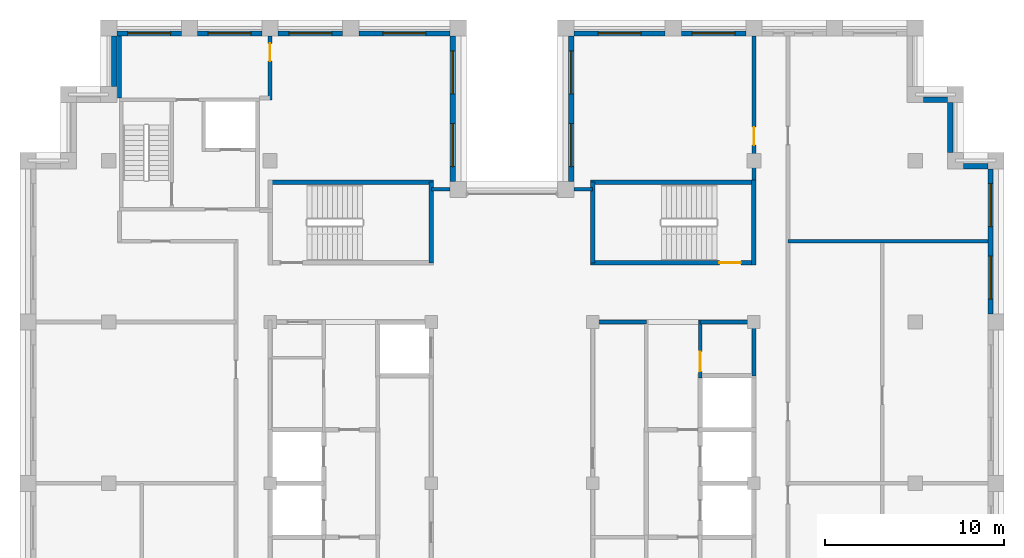
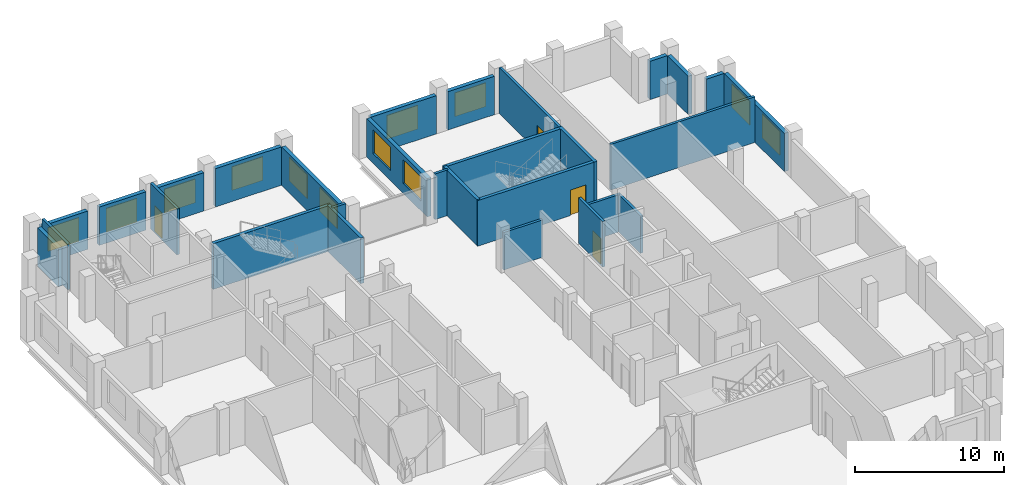
# One storey, part 10 of 13: 29 walls, 12 windows, 4 doors, 16 openings.
"""IFC4 building model written with IfcOpenShell, lengths in metres."""

from ifc_helpers import new_model, si_unit, direction, frame, frame_2d, origin, place, context, subcontext, project, spatial, rectangle, extrude, material, layer, layer_set, type_object, element, fill, save


model = new_model("IFC4")

# Units and contexts
model_context = context("Model", 3, precision=1e-05, world=origin(), true_north=direction((0.0, 1.0)))
body_context = subcontext(model_context, "Body", "Model", "MODEL_VIEW")
ifc_project = project(units=[si_unit("LENGTHUNIT", "METRE"), si_unit("AREAUNIT", "SQUARE_METRE"), si_unit("VOLUMEUNIT", "CUBIC_METRE"), si_unit("PLANEANGLEUNIT", "RADIAN"), si_unit("MASSUNIT", "GRAM", prefix="KILO")], contexts=[model_context])

# Site, building, storey
site_placement = place(None, origin())
site = spatial("IfcSite", under=ifc_project, at=site_placement, CompositionType="ELEMENT")
building_placement = place(site_placement, origin())
building = spatial("IfcBuilding", under=site, at=building_placement, Name="Corbelhall Arena Tower", CompositionType="ELEMENT")
storey_placement = place(building_placement, frame((0.0, 0.0, 334.0)))
storey = spatial("IfcBuildingStorey", under=building, at=storey_placement, Name="L73", CompositionType="ELEMENT", Elevation=334.0)

# Wall, openings, windows
ifc_material_1 = material(Name="Precast concrete C40/50 with granite facing", Category="masonry")
ifc_layer_1 = layer(ifc_material_1, 0.300048828125)
ifc_layer_set_1 = layer_set([ifc_layer_1], Name="EV-IW1 Infill panel 300")
wall_type_1 = type_object("IfcWallType", Name="EV-IW1 Infill panel 300", PredefinedType="SOLIDWALL", material=ifc_layer_set_1)
wall_1_placement = place(storey_placement, frame((26.699951171875, 9.449951171875, 0.0), z_axis=(0.0, 0.0, 1.0), x_axis=(0.0, 1.0, 0.0)))
wall_1 = element("IfcWall", 1, at=wall_1_placement, inside=storey, type_object=wall_type_1, Name="Infill panel IW1", PredefinedType="SOLIDWALL", context=body_context, shape_type="SweptSolid", body=[
    extrude(rectangle(XDim=8.10009765625, YDim=0.300048828125, at=frame_2d((4.050048828125, 0.0))), origin(), (0.0, 0.0, 1.0), 3.139892578125),
])
opening_1_placement = place(wall_1_placement, frame((0.824951171875, 0.0, 0.800048828125)))
opening_1 = element("IfcOpeningElement", 2, at=opening_1_placement, cuts=wall_1, Name="Opening WN1", PredefinedType="OPENING", context=body_context, shape_type="SweptSolid", body=[
    extrude(rectangle(XDim=2.39990234375, YDim=1.949951171875, at=frame_2d((1.199951171875, 0.97509765625))), frame((0.0, 0.14990234375, 0.0), z_axis=(0.0, -1.0, 0.0), x_axis=(1.0, 0.0, 0.0)), (0.0, 0.0, 1.0), 0.300048828125),
])
opening_2_placement = place(wall_1_placement, frame((4.875, 0.0, 0.800048828125)))
opening_2 = element("IfcOpeningElement", 3, at=opening_2_placement, cuts=wall_1, Name="Opening WN1", PredefinedType="OPENING", context=body_context, shape_type="SweptSolid", body=[
    extrude(rectangle(XDim=2.39990234375, YDim=1.949951171875, at=frame_2d((1.199951171875, 0.97509765625))), frame((0.0, 0.14990234375, 0.0), z_axis=(0.0, -1.0, 0.0), x_axis=(1.0, 0.0, 0.0)), (0.0, 0.0, 1.0), 0.300048828125),
])
ifc_material_2 = material(Name="Aluminium black anodised", Category="aluminium")
window_type = type_object("IfcWindowType", Name="EV-WN1 Office window", PartitioningType="SINGLE_PANEL", PredefinedType="WINDOW", material=ifc_material_2)
window_1_placement = place(opening_1_placement, origin())
window_1 = element("IfcWindow", 4, at=window_1_placement, inside=storey, type_object=window_type, Name="Window WN1", OverallHeight=1.949951171875, OverallWidth=2.39990234375, PartitioningType="SINGLE_PANEL", PredefinedType="WINDOW", context=body_context, shape_type="SweptSolid", body=[
    extrude(rectangle(XDim=2.39990234375, YDim=1.949951171875, at=frame_2d((1.199951171875, 0.97509765625))), frame((0.0, 0.030029296875, 0.0), z_axis=(0.0, -1.0, 0.0), x_axis=(1.0, 0.0, 0.0)), (0.0, 0.0, 1.0), 0.06005859375),
])
fill(opening_1, window_1)
window_2_placement = place(opening_2_placement, origin())
window_2 = element("IfcWindow", 5, at=window_2_placement, inside=storey, type_object=window_type, Name="Window WN1", OverallHeight=1.949951171875, OverallWidth=2.39990234375, PartitioningType="SINGLE_PANEL", PredefinedType="WINDOW", context=body_context, shape_type="SweptSolid", body=[
    extrude(rectangle(XDim=2.39990234375, YDim=1.949951171875, at=frame_2d((1.199951171875, 0.97509765625))), frame((0.0, 0.030029296875, 0.0), z_axis=(0.0, -1.0, 0.0), x_axis=(1.0, 0.0, 0.0)), (0.0, 0.0, 1.0), 0.06005859375),
])
fill(opening_2, window_2)

# Walls
wall_2_placement = place(storey_placement, frame((26.550048828125, 17.699951171875, 0.0), z_axis=(0.0, 0.0, 1.0), x_axis=(-1.0, 0.0, 0.0)))
element("IfcWall", 6, at=wall_2_placement, inside=storey, type_object=wall_type_1, Name="Infill panel IW1", PredefinedType="SOLIDWALL", context=body_context, shape_type="SweptSolid", body=[
    extrude(rectangle(XDim=1.35009765625, YDim=0.300048828125, at=frame_2d((0.675048828125, 0.0))), origin(), (0.0, 0.0, 1.0), 3.139892578125),
])
wall_3_placement = place(storey_placement, frame((24.449951171875, 18.449951171875, 0.0), z_axis=(0.0, 0.0, 1.0), x_axis=(0.0, 1.0, 0.0)))
element("IfcWall", 7, at=wall_3_placement, inside=storey, type_object=wall_type_1, Name="Infill panel IW1", PredefinedType="SOLIDWALL", context=body_context, shape_type="SweptSolid", body=[
    extrude(rectangle(XDim=2.800048828125, YDim=0.300048828125, at=frame_2d((1.39990234375, 0.0))), origin(), (0.0, 0.0, 1.0), 3.139892578125),
])
wall_4_placement = place(storey_placement, frame((24.300048828125, 21.39990234375, 0.0), z_axis=(0.0, 0.0, 1.0), x_axis=(-1.0, 0.0, 0.0)))
element("IfcWall", 8, at=wall_4_placement, inside=storey, type_object=wall_type_1, Name="Infill panel IW1", PredefinedType="SOLIDWALL", context=body_context, shape_type="SweptSolid", body=[
    extrude(rectangle(XDim=1.35009765625, YDim=0.300048828125, at=frame_2d((0.675048828125, 0.0))), origin(), (0.0, 0.0, 1.0), 3.139892578125),
])

# Wall, opening, window
wall_5_placement = place(storey_placement, frame((13.050048828125, 25.10009765625, 0.0), z_axis=(0.0, 0.0, 1.0), x_axis=(-1.0, 0.0, 0.0)))
wall_5 = element("IfcWall", 9, at=wall_5_placement, inside=storey, type_object=wall_type_1, Name="Infill panel IW1", PredefinedType="SOLIDWALL", context=body_context, shape_type="SweptSolid", body=[
    extrude(rectangle(XDim=3.60009765625, YDim=0.300048828125, at=frame_2d((1.800048828125, 0.0))), origin(), (0.0, 0.0, 1.0), 3.139892578125),
])
opening_3_placement = place(wall_5_placement, frame((0.60009765625, 0.0, 0.800048828125)))
opening_3 = element("IfcOpeningElement", 10, at=opening_3_placement, cuts=wall_5, Name="Opening WN1", PredefinedType="OPENING", context=body_context, shape_type="SweptSolid", body=[
    extrude(rectangle(XDim=2.39990234375, YDim=1.949951171875, at=frame_2d((1.199951171875, 0.97509765625))), frame((0.0, 0.14990234375, 0.0), z_axis=(0.0, -1.0, 0.0), x_axis=(1.0, 0.0, 0.0)), (0.0, 0.0, 1.0), 0.300048828125),
])
window_3_placement = place(opening_3_placement, origin())
window_3 = element("IfcWindow", 11, at=window_3_placement, inside=storey, type_object=window_type, Name="Window WN1", OverallHeight=1.949951171875, OverallWidth=2.39990234375, PartitioningType="SINGLE_PANEL", PredefinedType="WINDOW", context=body_context, shape_type="SweptSolid", body=[
    extrude(rectangle(XDim=2.39990234375, YDim=1.949951171875, at=frame_2d((1.199951171875, 0.97509765625))), frame((0.0, 0.030029296875, 0.0), z_axis=(0.0, -1.0, 0.0), x_axis=(1.0, 0.0, 0.0)), (0.0, 0.0, 1.0), 0.06005859375),
])
fill(opening_3, window_3)

wall_6_placement = place(storey_placement, frame((8.550048828125, 25.10009765625, 0.0), z_axis=(0.0, 0.0, 1.0), x_axis=(-1.0, 0.0, 0.0)))
wall_6 = element("IfcWall", 12, at=wall_6_placement, inside=storey, type_object=wall_type_1, Name="Infill panel IW1", PredefinedType="SOLIDWALL", context=body_context, shape_type="SweptSolid", body=[
    extrude(rectangle(XDim=5.10009765625, YDim=0.300048828125, at=frame_2d((2.550048828125, 0.0))), origin(), (0.0, 0.0, 1.0), 3.139892578125),
])
opening_4_placement = place(wall_6_placement, frame((1.35009765625, 0.0, 0.800048828125)))
opening_4 = element("IfcOpeningElement", 13, at=opening_4_placement, cuts=wall_6, Name="Opening WN1", PredefinedType="OPENING", context=body_context, shape_type="SweptSolid", body=[
    extrude(rectangle(XDim=2.39990234375, YDim=1.949951171875, at=frame_2d((1.199951171875, 0.97509765625))), frame((0.0, 0.14990234375, 0.0), z_axis=(0.0, -1.0, 0.0), x_axis=(1.0, 0.0, 0.0)), (0.0, 0.0, 1.0), 0.300048828125),
])
window_4_placement = place(opening_4_placement, origin())
window_4 = element("IfcWindow", 14, at=window_4_placement, inside=storey, type_object=window_type, Name="Window WN1", OverallHeight=1.949951171875, OverallWidth=2.39990234375, PartitioningType="SINGLE_PANEL", PredefinedType="WINDOW", context=body_context, shape_type="SweptSolid", body=[
    extrude(rectangle(XDim=2.39990234375, YDim=1.949951171875, at=frame_2d((1.199951171875, 0.97509765625))), frame((0.0, 0.030029296875, 0.0), z_axis=(0.0, -1.0, 0.0), x_axis=(1.0, 0.0, 0.0)), (0.0, 0.0, 1.0), 0.06005859375),
])
fill(opening_4, window_4)

# Wall, openings, windows
wall_7_placement = place(storey_placement, frame((3.300048828125, 24.949951171875, 0.0), z_axis=(0.0, 0.0, 1.0), x_axis=(0.0, -1.0, 0.0)))
wall_7 = element("IfcWall", 15, at=wall_7_placement, inside=storey, type_object=wall_type_1, Name="Infill panel IW1", PredefinedType="SOLIDWALL", context=body_context, shape_type="SweptSolid", body=[
    extrude(rectangle(XDim=8.099853515625, YDim=0.300048828125, at=frame_2d((4.0498046875, 0.0))), origin(), (0.0, 0.0, 1.0), 3.139892578125),
])
opening_5_placement = place(wall_7_placement, frame((0.824951171875, 0.0, 0.800048828125)))
opening_5 = element("IfcOpeningElement", 16, at=opening_5_placement, cuts=wall_7, Name="Opening WN1", PredefinedType="OPENING", context=body_context, shape_type="SweptSolid", body=[
    extrude(rectangle(XDim=2.39990234375, YDim=1.949951171875, at=frame_2d((1.199951171875, 0.97509765625))), frame((0.0, 0.14990234375, 0.0), z_axis=(0.0, -1.0, 0.0), x_axis=(1.0, 0.0, 0.0)), (0.0, 0.0, 1.0), 0.300048828125),
])
opening_6_placement = place(wall_7_placement, frame((4.875, 0.0, 0.800048828125)))
opening_6 = element("IfcOpeningElement", 17, at=opening_6_placement, cuts=wall_7, Name="Opening WN1", PredefinedType="OPENING", context=body_context, shape_type="SweptSolid", body=[
    extrude(rectangle(XDim=2.39990234375, YDim=1.949951171875, at=frame_2d((1.199951171875, 0.97509765625))), frame((0.0, 0.14990234375, 0.0), z_axis=(0.0, -1.0, 0.0), x_axis=(1.0, 0.0, 0.0)), (0.0, 0.0, 1.0), 0.300048828125),
])
window_5_placement = place(opening_5_placement, origin())
window_5 = element("IfcWindow", 18, at=window_5_placement, inside=storey, type_object=window_type, Name="Window WN1", OverallHeight=1.949951171875, OverallWidth=2.39990234375, PartitioningType="SINGLE_PANEL", PredefinedType="WINDOW", context=body_context, shape_type="SweptSolid", body=[
    extrude(rectangle(XDim=2.39990234375, YDim=1.949951171875, at=frame_2d((1.199951171875, 0.97509765625))), frame((0.0, 0.030029296875, 0.0), z_axis=(0.0, -1.0, 0.0), x_axis=(1.0, 0.0, 0.0)), (0.0, 0.0, 1.0), 0.06005859375),
])
fill(opening_5, window_5)
window_6_placement = place(opening_6_placement, origin())
window_6 = element("IfcWindow", 19, at=window_6_placement, inside=storey, type_object=window_type, Name="Window WN1", OverallHeight=1.949951171875, OverallWidth=2.39990234375, PartitioningType="SINGLE_PANEL", PredefinedType="WINDOW", context=body_context, shape_type="SweptSolid", body=[
    extrude(rectangle(XDim=2.39990234375, YDim=1.949951171875, at=frame_2d((1.199951171875, 0.97509765625))), frame((0.0, 0.030029296875, 0.0), z_axis=(0.0, -1.0, 0.0), x_axis=(1.0, 0.0, 0.0)), (0.0, 0.0, 1.0), 0.06005859375),
])
fill(opening_6, window_6)

wall_8_placement = place(storey_placement, frame((-3.300048828125, 16.85009765625, 0.0), z_axis=(0.0, 0.0, 1.0), x_axis=(0.0, 1.0, 0.0)))
wall_8 = element("IfcWall", 20, at=wall_8_placement, inside=storey, type_object=wall_type_1, Name="Infill panel IW1", PredefinedType="SOLIDWALL", context=body_context, shape_type="SweptSolid", body=[
    extrude(rectangle(XDim=8.099853515625, YDim=0.300048828125, at=frame_2d((4.0498046875, 0.0))), origin(), (0.0, 0.0, 1.0), 3.139892578125),
])
opening_7_placement = place(wall_8_placement, frame((0.824951171875, 0.0, 0.800048828125)))
opening_7 = element("IfcOpeningElement", 21, at=opening_7_placement, cuts=wall_8, Name="Opening WN1", PredefinedType="OPENING", context=body_context, shape_type="SweptSolid", body=[
    extrude(rectangle(XDim=2.39990234375, YDim=1.949951171875, at=frame_2d((1.199951171875, 0.97509765625))), frame((0.0, 0.14990234375, 0.0), z_axis=(0.0, -1.0, 0.0), x_axis=(1.0, 0.0, 0.0)), (0.0, 0.0, 1.0), 0.300048828125),
])
opening_8_placement = place(wall_8_placement, frame((4.875, 0.0, 0.800048828125)))
opening_8 = element("IfcOpeningElement", 22, at=opening_8_placement, cuts=wall_8, Name="Opening WN1", PredefinedType="OPENING", context=body_context, shape_type="SweptSolid", body=[
    extrude(rectangle(XDim=2.39990234375, YDim=1.949951171875, at=frame_2d((1.199951171875, 0.97509765625))), frame((0.0, 0.14990234375, 0.0), z_axis=(0.0, -1.0, 0.0), x_axis=(1.0, 0.0, 0.0)), (0.0, 0.0, 1.0), 0.300048828125),
])
window_7_placement = place(opening_7_placement, origin())
window_7 = element("IfcWindow", 23, at=window_7_placement, inside=storey, type_object=window_type, Name="Window WN1", OverallHeight=1.949951171875, OverallWidth=2.39990234375, PartitioningType="SINGLE_PANEL", PredefinedType="WINDOW", context=body_context, shape_type="SweptSolid", body=[
    extrude(rectangle(XDim=2.39990234375, YDim=1.949951171875, at=frame_2d((1.199951171875, 0.97509765625))), frame((0.0, 0.030029296875, 0.0), z_axis=(0.0, -1.0, 0.0), x_axis=(1.0, 0.0, 0.0)), (0.0, 0.0, 1.0), 0.06005859375),
])
fill(opening_7, window_7)
window_8_placement = place(opening_8_placement, origin())
window_8 = element("IfcWindow", 24, at=window_8_placement, inside=storey, type_object=window_type, Name="Window WN1", OverallHeight=1.949951171875, OverallWidth=2.39990234375, PartitioningType="SINGLE_PANEL", PredefinedType="WINDOW", context=body_context, shape_type="SweptSolid", body=[
    extrude(rectangle(XDim=2.39990234375, YDim=1.949951171875, at=frame_2d((1.199951171875, 0.97509765625))), frame((0.0, 0.030029296875, 0.0), z_axis=(0.0, -1.0, 0.0), x_axis=(1.0, 0.0, 0.0)), (0.0, 0.0, 1.0), 0.06005859375),
])
fill(opening_8, window_8)

# Wall, opening, window
wall_9_placement = place(storey_placement, frame((-3.449951171875, 25.10009765625, 0.0), z_axis=(0.0, 0.0, 1.0), x_axis=(-1.0, 0.0, 0.0)))
wall_9 = element("IfcWall", 25, at=wall_9_placement, inside=storey, type_object=wall_type_1, Name="Infill panel IW1", PredefinedType="SOLIDWALL", context=body_context, shape_type="SweptSolid", body=[
    extrude(rectangle(XDim=5.10009765625, YDim=0.300048828125, at=frame_2d((2.550048828125, 0.0))), origin(), (0.0, 0.0, 1.0), 3.139892578125),
])
opening_9_placement = place(wall_9_placement, frame((1.35009765625, 0.0, 0.800048828125)))
opening_9 = element("IfcOpeningElement", 26, at=opening_9_placement, cuts=wall_9, Name="Opening WN1", PredefinedType="OPENING", context=body_context, shape_type="SweptSolid", body=[
    extrude(rectangle(XDim=2.39990234375, YDim=1.949951171875, at=frame_2d((1.199951171875, 0.97509765625))), frame((0.0, 0.14990234375, 0.0), z_axis=(0.0, -1.0, 0.0), x_axis=(1.0, 0.0, 0.0)), (0.0, 0.0, 1.0), 0.300048828125),
])
window_9_placement = place(opening_9_placement, origin())
window_9 = element("IfcWindow", 27, at=window_9_placement, inside=storey, type_object=window_type, Name="Window WN1", OverallHeight=1.949951171875, OverallWidth=2.39990234375, PartitioningType="SINGLE_PANEL", PredefinedType="WINDOW", context=body_context, shape_type="SweptSolid", body=[
    extrude(rectangle(XDim=2.39990234375, YDim=1.949951171875, at=frame_2d((1.199951171875, 0.97509765625))), frame((0.0, 0.030029296875, 0.0), z_axis=(0.0, -1.0, 0.0), x_axis=(1.0, 0.0, 0.0)), (0.0, 0.0, 1.0), 0.06005859375),
])
fill(opening_9, window_9)

wall_10_placement = place(storey_placement, frame((-9.449951171875, 25.10009765625, 0.0), z_axis=(0.0, 0.0, 1.0), x_axis=(-1.0, 0.0, 0.0)))
wall_10 = element("IfcWall", 28, at=wall_10_placement, inside=storey, type_object=wall_type_1, Name="Infill panel IW1", PredefinedType="SOLIDWALL", context=body_context, shape_type="SweptSolid", body=[
    extrude(rectangle(XDim=3.60009765625, YDim=0.300048828125, at=frame_2d((1.800048828125, 0.0))), origin(), (0.0, 0.0, 1.0), 3.139892578125),
])
opening_10_placement = place(wall_10_placement, frame((0.60009765625, 0.0, 0.800048828125)))
opening_10 = element("IfcOpeningElement", 29, at=opening_10_placement, cuts=wall_10, Name="Opening WN1", PredefinedType="OPENING", context=body_context, shape_type="SweptSolid", body=[
    extrude(rectangle(XDim=2.39990234375, YDim=1.949951171875, at=frame_2d((1.199951171875, 0.97509765625))), frame((0.0, 0.14990234375, 0.0), z_axis=(0.0, -1.0, 0.0), x_axis=(1.0, 0.0, 0.0)), (0.0, 0.0, 1.0), 0.300048828125),
])
window_10_placement = place(opening_10_placement, origin())
window_10 = element("IfcWindow", 30, at=window_10_placement, inside=storey, type_object=window_type, Name="Window WN1", OverallHeight=1.949951171875, OverallWidth=2.39990234375, PartitioningType="SINGLE_PANEL", PredefinedType="WINDOW", context=body_context, shape_type="SweptSolid", body=[
    extrude(rectangle(XDim=2.39990234375, YDim=1.949951171875, at=frame_2d((1.199951171875, 0.97509765625))), frame((0.0, 0.030029296875, 0.0), z_axis=(0.0, -1.0, 0.0), x_axis=(1.0, 0.0, 0.0)), (0.0, 0.0, 1.0), 0.06005859375),
])
fill(opening_10, window_10)

wall_11_placement = place(storey_placement, frame((-13.949951171875, 25.10009765625, 0.0), z_axis=(0.0, 0.0, 1.0), x_axis=(-1.0, 0.0, 0.0)))
wall_11 = element("IfcWall", 31, at=wall_11_placement, inside=storey, type_object=wall_type_1, Name="Infill panel IW1", PredefinedType="SOLIDWALL", context=body_context, shape_type="SweptSolid", body=[
    extrude(rectangle(XDim=3.60009765625, YDim=0.300048828125, at=frame_2d((1.800048828125, 0.0))), origin(), (0.0, 0.0, 1.0), 3.139892578125),
])
opening_11_placement = place(wall_11_placement, frame((0.60009765625, 0.0, 0.800048828125)))
opening_11 = element("IfcOpeningElement", 32, at=opening_11_placement, cuts=wall_11, Name="Opening WN1", PredefinedType="OPENING", context=body_context, shape_type="SweptSolid", body=[
    extrude(rectangle(XDim=2.39990234375, YDim=1.949951171875, at=frame_2d((1.199951171875, 0.97509765625))), frame((0.0, 0.14990234375, 0.0), z_axis=(0.0, -1.0, 0.0), x_axis=(1.0, 0.0, 0.0)), (0.0, 0.0, 1.0), 0.300048828125),
])
window_11_placement = place(opening_11_placement, origin())
window_11 = element("IfcWindow", 33, at=window_11_placement, inside=storey, type_object=window_type, Name="Window WN1", OverallHeight=1.949951171875, OverallWidth=2.39990234375, PartitioningType="SINGLE_PANEL", PredefinedType="WINDOW", context=body_context, shape_type="SweptSolid", body=[
    extrude(rectangle(XDim=2.39990234375, YDim=1.949951171875, at=frame_2d((1.199951171875, 0.97509765625))), frame((0.0, 0.030029296875, 0.0), z_axis=(0.0, -1.0, 0.0), x_axis=(1.0, 0.0, 0.0)), (0.0, 0.0, 1.0), 0.06005859375),
])
fill(opening_11, window_11)

wall_12_placement = place(storey_placement, frame((-18.449951171875, 25.10009765625, 0.0), z_axis=(0.0, 0.0, 1.0), x_axis=(-1.0, 0.0, 0.0)))
wall_12 = element("IfcWall", 34, at=wall_12_placement, inside=storey, type_object=wall_type_1, Name="Infill panel IW1", PredefinedType="SOLIDWALL", context=body_context, shape_type="SweptSolid", body=[
    extrude(rectangle(XDim=3.60009765625, YDim=0.300048828125, at=frame_2d((1.800048828125, 0.0))), origin(), (0.0, 0.0, 1.0), 3.139892578125),
])
opening_12_placement = place(wall_12_placement, frame((0.60009765625, 0.0, 0.800048828125)))
opening_12 = element("IfcOpeningElement", 35, at=opening_12_placement, cuts=wall_12, Name="Opening WN1", PredefinedType="OPENING", context=body_context, shape_type="SweptSolid", body=[
    extrude(rectangle(XDim=2.39990234375, YDim=1.949951171875, at=frame_2d((1.199951171875, 0.97509765625))), frame((0.0, 0.14990234375, 0.0), z_axis=(0.0, -1.0, 0.0), x_axis=(1.0, 0.0, 0.0)), (0.0, 0.0, 1.0), 0.300048828125),
])
window_12_placement = place(opening_12_placement, origin())
window_12 = element("IfcWindow", 36, at=window_12_placement, inside=storey, type_object=window_type, Name="Window WN1", OverallHeight=1.949951171875, OverallWidth=2.39990234375, PartitioningType="SINGLE_PANEL", PredefinedType="WINDOW", context=body_context, shape_type="SweptSolid", body=[
    extrude(rectangle(XDim=2.39990234375, YDim=1.949951171875, at=frame_2d((1.199951171875, 0.97509765625))), frame((0.0, 0.030029296875, 0.0), z_axis=(0.0, -1.0, 0.0), x_axis=(1.0, 0.0, 0.0)), (0.0, 0.0, 1.0), 0.06005859375),
])
fill(opening_12, window_12)

# Walls
wall_13_placement = place(storey_placement, frame((-22.199951171875, 24.949951171875, 0.0), z_axis=(0.0, 0.0, 1.0), x_axis=(0.0, -1.0, 0.0)))
element("IfcWall", 37, at=wall_13_placement, inside=storey, type_object=wall_type_1, Name="Infill panel IW1", PredefinedType="SOLIDWALL", context=body_context, shape_type="SweptSolid", body=[
    extrude(rectangle(XDim=2.800048828125, YDim=0.300048828125, at=frame_2d((1.39990234375, 0.0))), origin(), (0.0, 0.0, 1.0), 3.139892578125),
])
ifc_material_3 = material(Name="Gypsum board on steel stud, acoustic", Category="steel")
ifc_layer_2 = layer(ifc_material_3, 0.199951171875)
ifc_layer_set_2 = layer_set([ifc_layer_2], Name="IN-W-DM200")
wall_type_2 = type_object("IfcWallType", Name="IN-W-DM200", PredefinedType="PARTITIONING", material=ifc_layer_set_2)
wall_14_placement = place(storey_placement, frame((-21.89990234375, 21.5, 0.0), z_axis=(0.0, 0.0, 1.0), x_axis=(0.0, 1.0, 0.0)))
element("IfcWall", 38, at=wall_14_placement, inside=storey, type_object=wall_type_2, Name="Partition 005", PredefinedType="PARTITIONING", context=body_context, shape_type="SweptSolid", body=[
    extrude(rectangle(XDim=3.449951171875, YDim=0.199951171875, at=frame_2d((1.72509765625, 0.0))), origin(), (0.0, 0.0, 1.0), 3.739990234375),
])

# Wall, opening, door
wall_15_placement = place(storey_placement, frame((-13.5, 24.949951171875, 0.0), z_axis=(0.0, 0.0, 1.0), x_axis=(0.0, -1.0, 0.0)))
wall_15 = element("IfcWall", 39, at=wall_15_placement, inside=storey, type_object=wall_type_2, Name="Partition 013", PredefinedType="PARTITIONING", context=body_context, shape_type="SweptSolid", body=[
    extrude(rectangle(XDim=3.550048828125, YDim=0.199951171875, at=frame_2d((1.77490234375, 0.0))), origin(), (0.0, 0.0, 1.0), 3.739990234375),
])
opening_13_placement = place(wall_15_placement, frame((0.39990234375, 0.0, 0.0)))
opening_13 = element("IfcOpeningElement", 40, at=opening_13_placement, cuts=wall_15, Name="Opening 23019", PredefinedType="OPENING", context=body_context, shape_type="SweptSolid", body=[
    extrude(rectangle(XDim=1.0, YDim=2.10009765625, at=frame_2d((0.5, 1.050048828125))), frame((0.0, 0.10009765625, 0.0), z_axis=(0.0, -1.0, 0.0), x_axis=(1.0, 0.0, 0.0)), (0.0, 0.0, 1.0), 0.199951171875),
])
ifc_material_4 = material(Name="Steel door set", Category="steel")
door_type_1 = type_object("IfcDoorType", Name="IN-D-SW100", OperationType="NOTDEFINED", PredefinedType="DOOR", material=ifc_material_4)
door_1_placement = place(opening_13_placement, origin())
door_1 = element("IfcDoor", 41, at=door_1_placement, inside=storey, type_object=door_type_1, Name="Door 019", OperationType="SINGLE_SWING_RIGHT", OverallHeight=2.10009765625, OverallWidth=1.0, PredefinedType="DOOR", context=body_context, shape_type="SweptSolid", body=[
    extrude(rectangle(XDim=1.0, YDim=2.10009765625, at=frame_2d((0.5, 1.050048828125))), frame((0.0, 0.02490234375, 0.0), z_axis=(0.0, -1.0, 0.0), x_axis=(1.0, 0.0, 0.0)), (0.0, 0.0, 1.0), 0.050048828125),
])
fill(opening_13, door_1)

# Walls
for number, where, z_axis, x_axis, name in (
    (42, (-4.5, 16.39990234375, 0.0), (0.0, 0.0, 1.0), (1.0, 0.0, 0.0), "Partition 014"),
    (43, (3.449951171875, 16.39990234375, 0.0), (0.0, 0.0, 1.0), (1.0, 0.0, 0.0), "Partition 016"),
):
    element("IfcWall", number, at=place(storey_placement, frame(where, z_axis=z_axis, x_axis=x_axis)), inside=storey, type_object=wall_type_2, Name=name, PredefinedType="PARTITIONING", context=body_context, shape_type="SweptSolid", body=[
        extrude(rectangle(XDim=1.050048828125, YDim=0.199951171875, at=frame_2d((0.52490234375, 0.0))), origin(), (0.0, 0.0, 1.0), 3.739990234375),
    ])

# Wall, opening, door
wall_16_placement = place(storey_placement, frame((13.5, 16.675048828125, 0.0), z_axis=(0.0, 0.0, 1.0), x_axis=(0.0, 1.0, 0.0)))
wall_16 = element("IfcWall", 44, at=wall_16_placement, inside=storey, type_object=wall_type_2, Name="Partition 019", PredefinedType="PARTITIONING", context=body_context, shape_type="SweptSolid", body=[
    extrude(rectangle(XDim=8.27490234375, YDim=0.199951171875, at=frame_2d((4.137451171875, 0.0))), origin(), (0.0, 0.0, 1.0), 3.739990234375),
])
opening_14_placement = place(wall_16_placement, frame((2.199951171875, 0.0, 0.0)))
opening_14 = element("IfcOpeningElement", 45, at=opening_14_placement, cuts=wall_16, Name="Opening 23020", PredefinedType="OPENING", context=body_context, shape_type="SweptSolid", body=[
    extrude(rectangle(XDim=1.0, YDim=2.10009765625, at=frame_2d((0.5, 1.050048828125))), frame((0.0, 0.10009765625, 0.0), z_axis=(0.0, -1.0, 0.0), x_axis=(1.0, 0.0, 0.0)), (0.0, 0.0, 1.0), 0.199951171875),
])
door_2_placement = place(opening_14_placement, origin())
door_2 = element("IfcDoor", 46, at=door_2_placement, inside=storey, type_object=door_type_1, Name="Door 020", OperationType="SINGLE_SWING_LEFT", OverallHeight=2.10009765625, OverallWidth=1.0, PredefinedType="DOOR", context=body_context, shape_type="SweptSolid", body=[
    extrude(rectangle(XDim=1.0, YDim=2.10009765625, at=frame_2d((0.5, 1.050048828125))), frame((0.0, 0.02490234375, 0.0), z_axis=(0.0, -1.0, 0.0), x_axis=(1.0, 0.0, 0.0)), (0.0, 0.0, 1.0), 0.050048828125),
])
fill(opening_14, door_2)

# Wall
wall_17_placement = place(storey_placement, frame((15.39990234375, 13.5, 0.0), z_axis=(0.0, 0.0, 1.0), x_axis=(1.0, 0.0, 0.0)))
element("IfcWall", 47, at=wall_17_placement, inside=storey, type_object=wall_type_2, Name="Partition 023", PredefinedType="PARTITIONING", context=body_context, shape_type="SweptSolid", body=[
    extrude(rectangle(XDim=11.150146484375, YDim=0.199951171875, at=frame_2d((5.5751953125, 0.0))), origin(), (0.0, 0.0, 1.0), 3.739990234375),
])

# Wall, opening, door
ifc_material_5 = material(Name="Concrete block wall", Category="concrete")
ifc_layer_3 = layer(ifc_material_5, 0.199951171875)
ifc_layer_set_3 = layer_set([ifc_layer_3], Name="IN-W-RS200")
wall_type_3 = type_object("IfcWallType", Name="IN-W-RS200", PredefinedType="SOLIDWALL", material=ifc_layer_set_3)
wall_18_placement = place(storey_placement, frame((10.5, 9.10009765625, 0.0), z_axis=(0.0, 0.0, 1.0), x_axis=(0.0, -1.0, 0.0)))
wall_18 = element("IfcWall", 48, at=wall_18_placement, inside=storey, type_object=wall_type_3, Name="Partition 044", PredefinedType="SOLIDWALL", context=body_context, shape_type="SweptSolid", body=[
    extrude(rectangle(XDim=3.22509765625, YDim=0.199951171875, at=frame_2d((1.612548828125, 0.0))), origin(), (0.0, 0.0, 1.0), 3.739990234375),
])
opening_15_placement = place(wall_18_placement, frame((1.75, 0.0, 0.0)))
opening_15 = element("IfcOpeningElement", 49, at=opening_15_placement, cuts=wall_18, Name="Opening 23014", PredefinedType="OPENING", context=body_context, shape_type="SweptSolid", body=[
    extrude(rectangle(XDim=1.10009765625, YDim=2.10009765625, at=frame_2d((0.550048828125, 1.050048828125))), frame((0.0, 0.10009765625, 0.0), z_axis=(0.0, -1.0, 0.0), x_axis=(1.0, 0.0, 0.0)), (0.0, 0.0, 1.0), 0.199951171875),
])
door_type_2 = type_object("IfcDoorType", Name="IN-D-FD110", OperationType="NOTDEFINED", PredefinedType="DOOR", material=ifc_material_4)
door_3_placement = place(opening_15_placement, origin())
door_3 = element("IfcDoor", 50, at=door_3_placement, inside=storey, type_object=door_type_2, Name="Door 014", OperationType="SINGLE_SWING_LEFT", OverallHeight=2.10009765625, OverallWidth=1.10009765625, PredefinedType="DOOR", context=body_context, shape_type="SweptSolid", body=[
    extrude(rectangle(XDim=1.10009765625, YDim=2.10009765625, at=frame_2d((0.550048828125, 1.050048828125))), frame((0.0, 0.02490234375, 0.0), z_axis=(0.0, -1.0, 0.0), x_axis=(1.0, 0.0, 0.0)), (0.0, 0.0, 1.0), 0.050048828125),
])
fill(opening_15, door_3)

# Walls
ifc_layer_4 = layer(ifc_material_5, 0.199951171875)
ifc_layer_set_4 = layer_set([ifc_layer_4], Name="IN-W-RS200 under beam 678 mm")
wall_type_4 = type_object("IfcWallType", Name="IN-W-RS200 under beam 678 mm", PredefinedType="SOLIDWALL", material=ifc_layer_set_4)
for number, where, z_axis, x_axis, name in (
    (51, (4.5, 9.0, 0.0), (0.0, 0.0, 1.0), (1.0, 0.0, 0.0), "Partition 039"),
    (52, (10.5, 9.0, 0.0), (0.0, 0.0, 1.0), (1.0, 0.0, 0.0), "Partition 043"),
):
    element("IfcWall", number, at=place(storey_placement, frame(where, z_axis=z_axis, x_axis=x_axis)), inside=storey, type_object=wall_type_4, Name=name, PredefinedType="SOLIDWALL", context=body_context, shape_type="SweptSolid", body=[
        extrude(rectangle(XDim=3.0, YDim=0.199951171875, at=frame_2d((1.5, 0.0))), origin(), (0.0, 0.0, 1.0), 3.061767578125),
    ])
wall_19_placement = place(storey_placement, frame((13.5, 9.10009765625, 0.0), z_axis=(0.0, 0.0, 1.0), x_axis=(0.0, -1.0, 0.0)))
element("IfcWall", 53, at=wall_19_placement, inside=storey, type_object=wall_type_4, Name="Partition 046", PredefinedType="SOLIDWALL", context=body_context, shape_type="SweptSolid", body=[
    extrude(rectangle(XDim=3.10009765625, YDim=0.199951171875, at=frame_2d((1.550048828125, 0.0))), origin(), (0.0, 0.0, 1.0), 3.061767578125),
])
ifc_material_6 = material(Name="Concrete C40/50", Category="concrete")
ifc_layer_5 = layer(ifc_material_6, 0.25)
ifc_layer_set_5 = layer_set([ifc_layer_5], Name="IN-W-ST250")
wall_type_5 = type_object("IfcWallType", Name="IN-W-ST250", PredefinedType="SOLIDWALL", material=ifc_layer_set_5)
wall_20_placement = place(storey_placement, frame((-13.5, 16.800048828125, 0.0), z_axis=(0.0, 0.0, 1.0), x_axis=(1.0, 0.0, 0.0)))
element("IfcWall", 54, at=wall_20_placement, inside=storey, type_object=wall_type_5, Name="Shaft wall 071", PredefinedType="SOLIDWALL", context=body_context, shape_type="SweptSolid", body=[
    extrude(rectangle(XDim=9.125, YDim=0.25, at=frame_2d((4.5625, 0.0))), origin(), (0.0, 0.0, 1.0), 3.739990234375),
])
wall_21_placement = place(storey_placement, frame((-4.5, 16.800048828125, 0.0), z_axis=(0.0, 0.0, 1.0), x_axis=(0.0, -1.0, 0.0)))
element("IfcWall", 55, at=wall_21_placement, inside=storey, type_object=wall_type_5, Name="Shaft wall 074", PredefinedType="SOLIDWALL", context=body_context, shape_type="SweptSolid", body=[
    extrude(rectangle(XDim=4.5, YDim=0.25, at=frame_2d((2.25, 0.0))), origin(), (0.0, 0.0, 1.0), 3.739990234375),
])

# Wall, opening, door
wall_22_placement = place(storey_placement, frame((4.375, 12.300048828125, 0.0), z_axis=(0.0, 0.0, 1.0), x_axis=(1.0, 0.0, 0.0)))
wall_22 = element("IfcWall", 56, at=wall_22_placement, inside=storey, type_object=wall_type_5, Name="Shaft wall 076", PredefinedType="SOLIDWALL", context=body_context, shape_type="SweptSolid", body=[
    extrude(rectangle(XDim=9.125, YDim=0.25, at=frame_2d((4.5625, 0.0))), origin(), (0.0, 0.0, 1.0), 3.739990234375),
])
opening_16_placement = place(wall_22_placement, frame((7.199951171875, 0.0, 0.0)))
opening_16 = element("IfcOpeningElement", 57, at=opening_16_placement, cuts=wall_22, Name="Opening 23017", PredefinedType="OPENING", context=body_context, shape_type="SweptSolid", body=[
    extrude(rectangle(XDim=1.199951171875, YDim=2.10009765625, at=frame_2d((0.60009765625, 1.050048828125))), frame((0.0, 0.125, 0.0), z_axis=(0.0, -1.0, 0.0), x_axis=(1.0, 0.0, 0.0)), (0.0, 0.0, 1.0), 0.25),
])
door_type_3 = type_object("IfcDoorType", Name="IN-D-ST120", OperationType="NOTDEFINED", PredefinedType="DOOR", material=ifc_material_4)
door_4_placement = place(opening_16_placement, origin())
door_4 = element("IfcDoor", 58, at=door_4_placement, inside=storey, type_object=door_type_3, Name="Door 017", OperationType="SINGLE_SWING_RIGHT", OverallHeight=2.10009765625, OverallWidth=1.199951171875, PredefinedType="DOOR", context=body_context, shape_type="SweptSolid", body=[
    extrude(rectangle(XDim=1.199951171875, YDim=2.10009765625, at=frame_2d((0.60009765625, 1.050048828125))), frame((0.0, 0.02490234375, 0.0), z_axis=(0.0, -1.0, 0.0), x_axis=(1.0, 0.0, 0.0)), (0.0, 0.0, 1.0), 0.050048828125),
])
fill(opening_16, door_4)

# Walls
wall_23_placement = place(storey_placement, frame((4.375, 16.800048828125, 0.0), z_axis=(0.0, 0.0, 1.0), x_axis=(1.0, 0.0, 0.0)))
element("IfcWall", 59, at=wall_23_placement, inside=storey, type_object=wall_type_5, Name="Shaft wall 077", PredefinedType="SOLIDWALL", context=body_context, shape_type="SweptSolid", body=[
    extrude(rectangle(XDim=9.125, YDim=0.25, at=frame_2d((4.5625, 0.0))), origin(), (0.0, 0.0, 1.0), 3.739990234375),
])
wall_24_placement = place(storey_placement, frame((4.5, 12.300048828125, 0.0), z_axis=(0.0, 0.0, 1.0), x_axis=(0.0, 1.0, 0.0)))
element("IfcWall", 60, at=wall_24_placement, inside=storey, type_object=wall_type_5, Name="Shaft wall 079", PredefinedType="SOLIDWALL", context=body_context, shape_type="SweptSolid", body=[
    extrude(rectangle(XDim=4.5, YDim=0.25, at=frame_2d((2.25, 0.0))), origin(), (0.0, 0.0, 1.0), 3.739990234375),
])
wall_25_placement = place(storey_placement, frame((13.5, 12.175048828125, 0.0), z_axis=(0.0, 0.0, 1.0), x_axis=(0.0, 1.0, 0.0)))
element("IfcWall", 61, at=wall_25_placement, inside=storey, type_object=wall_type_5, Name="Shaft wall 083", PredefinedType="SOLIDWALL", context=body_context, shape_type="SweptSolid", body=[
    extrude(rectangle(XDim=4.75, YDim=0.25, at=frame_2d((2.375, 0.0))), origin(), (0.0, 0.0, 1.0), 3.739990234375),
])

save(model, "model.ifc")
